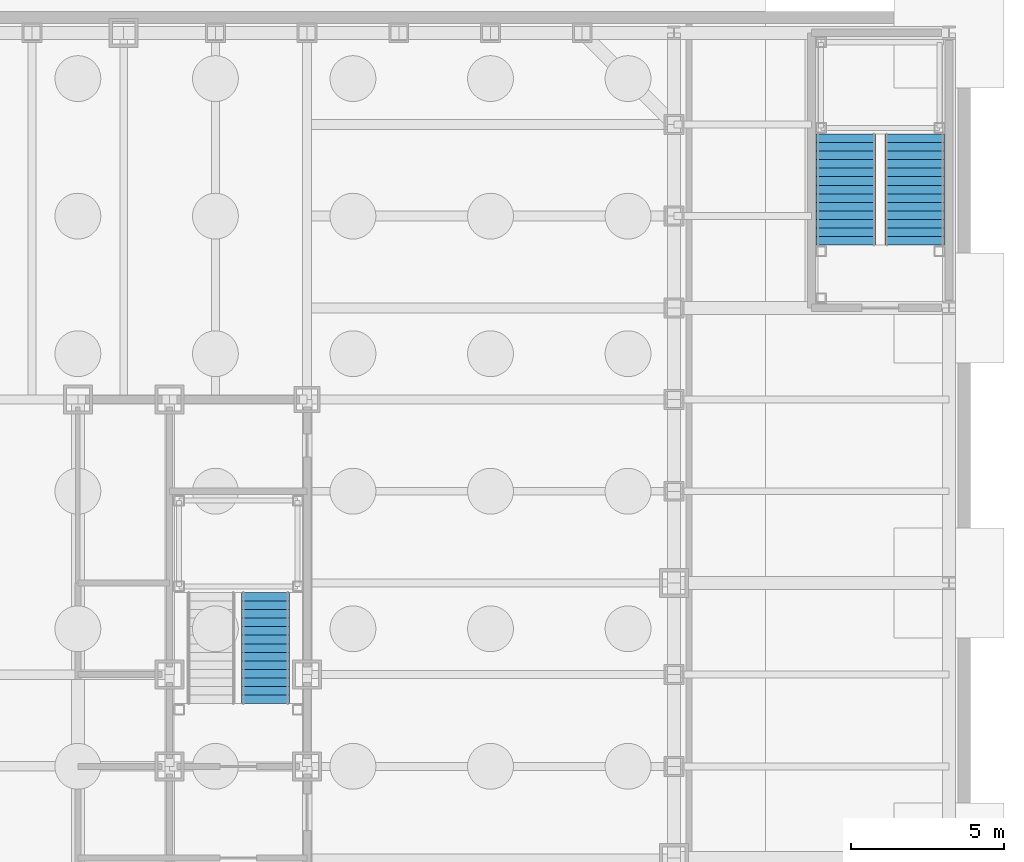
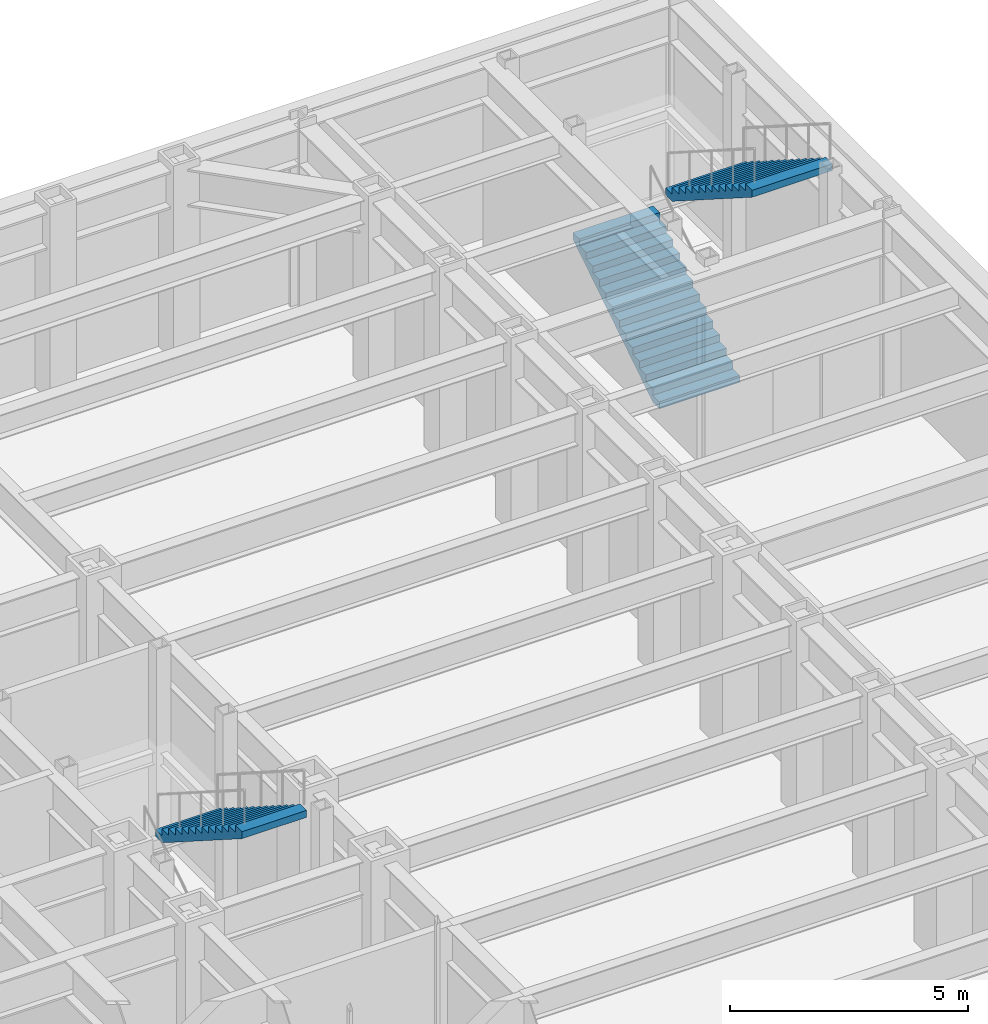
# One storey, part 12 of 18: 3 stair flights, 2 elements without a shape of their own.
"""IFC4 building model written with IfcOpenShell, lengths in metres."""

from ifc_helpers import new_model, si_unit, direction, frame, origin, place, context, subcontext, project, spatial, faceted_brep, material, type_object, element, aggregate, save


model = new_model("IFC4")

# Units and contexts
model_context = context("Model", 3, precision=1e-05, world=origin(), true_north=direction((0.0, 1.0)))
body_context = subcontext(model_context, "Body", "Model", "MODEL_VIEW")
ifc_project = project(units=[si_unit("LENGTHUNIT", "METRE"), si_unit("AREAUNIT", "SQUARE_METRE"), si_unit("VOLUMEUNIT", "CUBIC_METRE"), si_unit("PLANEANGLEUNIT", "RADIAN"), si_unit("MASSUNIT", "GRAM", prefix="KILO")], contexts=[model_context])

# Site, building, storey
site_placement = place(None, origin())
site = spatial("IfcSite", under=ifc_project, at=site_placement, CompositionType="ELEMENT")
building_placement = place(site_placement, origin())
building = spatial("IfcBuilding", under=site, at=building_placement, Name="Chuquiago Exchange Tower", CompositionType="ELEMENT")
storey_placement = place(building_placement, frame((0.0, 0.0, -5.0)))
storey = spatial("IfcBuildingStorey", under=building, at=storey_placement, Name="B1", CompositionType="ELEMENT", Elevation=-5.0)

# Stair, stair flight
ifc_material_1 = material(Name="Concrete C30/37, precast", Category="concrete")
stair_type_1 = type_object("IfcStairType", Name="ST2 half-turn stair 5000", PredefinedType="HALF_TURN_STAIR", material=ifc_material_1)
stair_1_placement = place(storey_placement, origin())
stair_1 = element("IfcStair", 1, at=stair_1_placement, inside=storey, type_object=stair_type_1, Name="Stair ST2 B1", PredefinedType="HALF_TURN_STAIR")
ifc_material_2 = material(Name="Concrete C30/37, precast", Category="concrete")
stair_flight_type_1 = type_object("IfcStairFlightType", Name="ST-F flight 1570 for 5000 storey", PredefinedType="STRAIGHT", material=ifc_material_2)
stair_flight_1_placement = place(storey_placement, frame((31.639892578125, 26.68994140625, 2.5), z_axis=(0.0, 0.0, 1.0), x_axis=(0.0, -1.0, 0.0)))
stair_flight_1 = element("IfcStairFlight", 2, at=stair_flight_1_placement, type_object=stair_flight_type_1, Name="ST2 flight 2", NumberOfRisers=14, NumberOfTreads=13, PredefinedType="STRAIGHT", RiserHeight=0.178571429, TreadLength=0.28, context=body_context, shape_type="Brep", body=[
    faceted_brep([(0.0, 0.78515625, 0.0), (0.0, 0.78515625, 0.178466796875), (0.280029296875, 0.78515625, 0.178466796875), (0.280029296875, 0.78515625, 0.357177734375), (0.56005859375, 0.78515625, 0.357177734375), (0.56005859375, 0.78515625, 0.53564453125), (0.840087890625, 0.78515625, 0.53564453125), (0.840087890625, 0.78515625, 0.71435546875), (1.1201171875, 0.78515625, 0.71435546875), (1.1201171875, 0.78515625, 0.892822265625), (1.39990234375, 0.78515625, 0.892822265625), (1.39990234375, 0.78515625, 1.071533203125), (1.679931640625, 0.78515625, 1.071533203125), (1.679931640625, 0.78515625, 1.25), (1.9599609375, 0.78515625, 1.25), (1.9599609375, 0.78515625, 1.428466796875), (2.239990234375, 0.78515625, 1.428466796875), (2.239990234375, 0.78515625, 1.607177734375), (2.52001953125, 0.78515625, 1.607177734375), (2.52001953125, 0.78515625, 1.78564453125), (2.800048828125, 0.78515625, 1.78564453125), (2.800048828125, 0.78515625, 1.96435546875), (3.080078125, 0.78515625, 1.96435546875), (3.080078125, 0.78515625, 2.142822265625), (3.360107421875, 0.78515625, 2.142822265625), (3.360107421875, 0.78515625, 2.321533203125), (3.639892578125, 0.78515625, 2.321533203125), (3.639892578125, 0.78515625, 2.1435546875), (0.27880859375, 0.78515625, 0.0), (0.27880859375, -0.78515625, 0.0), (3.639892578125, -0.78515625, 2.1435546875), (3.639892578125, -0.78515625, 2.321533203125), (3.360107421875, -0.78515625, 2.321533203125), (3.360107421875, -0.78515625, 2.142822265625), (3.080078125, -0.78515625, 2.142822265625), (3.080078125, -0.78515625, 1.96435546875), (2.800048828125, -0.78515625, 1.96435546875), (2.800048828125, -0.78515625, 1.78564453125), (2.52001953125, -0.78515625, 1.78564453125), (2.52001953125, -0.78515625, 1.607177734375), (2.239990234375, -0.78515625, 1.607177734375), (2.239990234375, -0.78515625, 1.428466796875), (1.9599609375, -0.78515625, 1.428466796875), (1.9599609375, -0.78515625, 1.25), (1.679931640625, -0.78515625, 1.25), (1.679931640625, -0.78515625, 1.071533203125), (1.39990234375, -0.78515625, 1.071533203125), (1.39990234375, -0.78515625, 0.892822265625), (1.1201171875, -0.78515625, 0.892822265625), (1.1201171875, -0.78515625, 0.71435546875), (0.840087890625, -0.78515625, 0.71435546875), (0.840087890625, -0.78515625, 0.53564453125), (0.56005859375, -0.78515625, 0.53564453125), (0.56005859375, -0.78515625, 0.357177734375), (0.280029296875, -0.78515625, 0.357177734375), (0.280029296875, -0.78515625, 0.178466796875), (0.0, -0.78515625, 0.178466796875), (0.0, -0.78515625, 0.0), (0.0, 0.392578125, 0.0), (0.0, 0.392578125, 0.178466796875), (0.0, 0.0, 0.0), (0.0, 0.0, 0.178466796875), (0.0, -0.392578125, 0.0), (0.0, -0.392578125, 0.178466796875), (0.280029296875, 0.392578125, 0.178466796875), (0.280029296875, 0.0, 0.178466796875), (0.280029296875, -0.392578125, 0.178466796875), (0.280029296875, 0.392578125, 0.357177734375), (0.280029296875, 0.0, 0.357177734375), (0.280029296875, -0.392578125, 0.357177734375), (0.56005859375, 0.392578125, 0.357177734375), (0.56005859375, 0.0, 0.357177734375), (0.56005859375, -0.392578125, 0.357177734375), (0.56005859375, 0.392578125, 0.53564453125), (0.56005859375, 0.0, 0.53564453125), (0.56005859375, -0.392578125, 0.53564453125), (0.840087890625, 0.392578125, 0.53564453125), (0.840087890625, 0.0, 0.53564453125), (0.840087890625, -0.392578125, 0.53564453125), (0.840087890625, 0.392578125, 0.71435546875), (0.840087890625, 0.0, 0.71435546875), (0.840087890625, -0.392578125, 0.71435546875), (1.1201171875, 0.392578125, 0.71435546875), (1.1201171875, 0.0, 0.71435546875), (1.1201171875, -0.392578125, 0.71435546875), (1.1201171875, 0.392578125, 0.892822265625), (1.1201171875, 0.0, 0.892822265625), (1.1201171875, -0.392578125, 0.892822265625), (1.39990234375, 0.392578125, 0.892822265625), (1.39990234375, 0.0, 0.892822265625), (1.39990234375, -0.392578125, 0.892822265625), (1.39990234375, 0.392578125, 1.071533203125), (1.39990234375, 0.0, 1.071533203125), (1.39990234375, -0.392578125, 1.071533203125), (1.679931640625, 0.392578125, 1.071533203125), (1.679931640625, 0.0, 1.071533203125), (1.679931640625, -0.392578125, 1.071533203125), (1.679931640625, 0.392578125, 1.25), (1.679931640625, 0.0, 1.25), (1.679931640625, -0.392578125, 1.25), (1.9599609375, 0.392578125, 1.25), (1.9599609375, 0.0, 1.25), (1.9599609375, -0.392578125, 1.25), (1.9599609375, 0.392578125, 1.428466796875), (1.9599609375, 0.0, 1.428466796875), (1.9599609375, -0.392578125, 1.428466796875), (2.239990234375, 0.392578125, 1.428466796875), (2.239990234375, 0.0, 1.428466796875), (2.239990234375, -0.392578125, 1.428466796875), (2.239990234375, 0.392578125, 1.607177734375), (2.239990234375, 0.0, 1.607177734375), (2.239990234375, -0.392578125, 1.607177734375), (2.52001953125, 0.392578125, 1.607177734375), (2.52001953125, 0.0, 1.607177734375), (2.52001953125, -0.392578125, 1.607177734375), (2.52001953125, 0.392578125, 1.78564453125), (2.52001953125, 0.0, 1.78564453125), (2.52001953125, -0.392578125, 1.78564453125), (2.800048828125, 0.392578125, 1.78564453125), (2.800048828125, 0.0, 1.78564453125), (2.800048828125, -0.392578125, 1.78564453125), (2.800048828125, 0.392578125, 1.96435546875), (2.800048828125, 0.0, 1.96435546875), (2.800048828125, -0.392578125, 1.96435546875), (3.080078125, 0.392578125, 1.96435546875), (3.080078125, 0.0, 1.96435546875), (3.080078125, -0.392578125, 1.96435546875), (3.080078125, 0.392578125, 2.142822265625), (3.080078125, 0.0, 2.142822265625), (3.080078125, -0.392578125, 2.142822265625), (3.360107421875, 0.392578125, 2.142822265625), (3.360107421875, 0.0, 2.142822265625), (3.360107421875, -0.392578125, 2.142822265625), (3.360107421875, 0.392578125, 2.321533203125), (3.360107421875, 0.0, 2.321533203125), (3.360107421875, -0.392578125, 2.321533203125), (3.639892578125, 0.392578125, 2.321533203125), (3.639892578125, 0.0, 2.321533203125), (3.639892578125, -0.392578125, 2.321533203125), (3.639892578125, 0.392578125, 2.1435546875), (3.639892578125, 0.0, 2.1435546875), (3.639892578125, -0.392578125, 2.1435546875), (0.27880859375, 0.392578125, 0.0), (0.27880859375, 0.0, 0.0), (0.27880859375, -0.392578125, 0.0)], [[[0, 1, 2, 3, 4, 5, 6, 7, 8, 9, 10, 11, 12, 13, 14, 15, 16, 17, 18, 19, 20, 21, 22, 23, 24, 25, 26, 27, 28]], [[29, 30, 31, 32, 33, 34, 35, 36, 37, 38, 39, 40, 41, 42, 43, 44, 45, 46, 47, 48, 49, 50, 51, 52, 53, 54, 55, 56, 57]], [[1, 0, 58, 59]], [[59, 58, 60, 61]], [[61, 60, 62, 63]], [[63, 62, 57, 56]], [[2, 1, 59, 64]], [[64, 59, 61, 65]], [[65, 61, 63, 66]], [[66, 63, 56, 55]], [[3, 2, 64, 67]], [[67, 64, 65, 68]], [[68, 65, 66, 69]], [[69, 66, 55, 54]], [[4, 3, 67, 70]], [[70, 67, 68, 71]], [[71, 68, 69, 72]], [[72, 69, 54, 53]], [[5, 4, 70, 73]], [[73, 70, 71, 74]], [[74, 71, 72, 75]], [[75, 72, 53, 52]], [[6, 5, 73, 76]], [[76, 73, 74, 77]], [[77, 74, 75, 78]], [[78, 75, 52, 51]], [[7, 6, 76, 79]], [[79, 76, 77, 80]], [[80, 77, 78, 81]], [[81, 78, 51, 50]], [[8, 7, 79, 82]], [[82, 79, 80, 83]], [[83, 80, 81, 84]], [[84, 81, 50, 49]], [[9, 8, 82, 85]], [[85, 82, 83, 86]], [[86, 83, 84, 87]], [[87, 84, 49, 48]], [[10, 9, 85, 88]], [[88, 85, 86, 89]], [[89, 86, 87, 90]], [[90, 87, 48, 47]], [[11, 10, 88, 91]], [[91, 88, 89, 92]], [[92, 89, 90, 93]], [[93, 90, 47, 46]], [[12, 11, 91, 94]], [[94, 91, 92, 95]], [[95, 92, 93, 96]], [[96, 93, 46, 45]], [[13, 12, 94, 97]], [[97, 94, 95, 98]], [[98, 95, 96, 99]], [[99, 96, 45, 44]], [[14, 13, 97, 100]], [[100, 97, 98, 101]], [[101, 98, 99, 102]], [[102, 99, 44, 43]], [[15, 14, 100, 103]], [[103, 100, 101, 104]], [[104, 101, 102, 105]], [[105, 102, 43, 42]], [[16, 15, 103, 106]], [[106, 103, 104, 107]], [[107, 104, 105, 108]], [[108, 105, 42, 41]], [[17, 16, 106, 109]], [[109, 106, 107, 110]], [[110, 107, 108, 111]], [[111, 108, 41, 40]], [[18, 17, 109, 112]], [[112, 109, 110, 113]], [[113, 110, 111, 114]], [[114, 111, 40, 39]], [[19, 18, 112, 115]], [[115, 112, 113, 116]], [[116, 113, 114, 117]], [[117, 114, 39, 38]], [[20, 19, 115, 118]], [[118, 115, 116, 119]], [[119, 116, 117, 120]], [[120, 117, 38, 37]], [[21, 20, 118, 121]], [[121, 118, 119, 122]], [[122, 119, 120, 123]], [[123, 120, 37, 36]], [[22, 21, 121, 124]], [[124, 121, 122, 125]], [[125, 122, 123, 126]], [[126, 123, 36, 35]], [[23, 22, 124, 127]], [[127, 124, 125, 128]], [[128, 125, 126, 129]], [[129, 126, 35, 34]], [[24, 23, 127, 130]], [[130, 127, 128, 131]], [[131, 128, 129, 132]], [[132, 129, 34, 33]], [[25, 24, 130, 133]], [[133, 130, 131, 134]], [[134, 131, 132, 135]], [[135, 132, 33, 32]], [[26, 25, 133, 136]], [[136, 133, 134, 137]], [[137, 134, 135, 138]], [[138, 135, 32, 31]], [[27, 26, 136, 139]], [[139, 136, 137, 140]], [[140, 137, 138, 141]], [[141, 138, 31, 30]], [[28, 27, 139, 142]], [[142, 139, 140, 143]], [[143, 140, 141, 144]], [[144, 141, 30, 29]], [[0, 28, 142, 58]], [[58, 142, 143, 60]], [[60, 143, 144, 62]], [[62, 144, 29, 57]]]),
])
aggregate(stair_1, [stair_flight_1])

# Stair, stair flights
ifc_material_3 = material(Name="Concrete C30/37, precast", Category="concrete")
stair_type_2 = type_object("IfcStairType", Name="PS4 half-turn stair 5000", PredefinedType="HALF_TURN_STAIR", material=ifc_material_3)
stair_2_placement = place(storey_placement, origin())
stair_2 = element("IfcStair", 3, at=stair_2_placement, inside=storey, type_object=stair_type_2, Name="Stair PS4 B1", PredefinedType="HALF_TURN_STAIR")
ifc_material_4 = material(Name="Concrete C30/37, precast", Category="concrete")
stair_flight_type_2 = type_object("IfcStairFlightType", Name="ST-F flight 1950 for 5000 storey", PredefinedType="STRAIGHT", material=ifc_material_4)
stair_flight_2_placement = place(storey_placement, frame((50.625, 38.050048828125, 0.0), z_axis=(0.0, 0.0, 1.0), x_axis=(0.0, 1.0, 0.0)))
stair_flight_2 = element("IfcStairFlight", 4, at=stair_flight_2_placement, type_object=stair_flight_type_2, Name="PS4 flight 1", NumberOfRisers=14, NumberOfTreads=13, PredefinedType="STRAIGHT", RiserHeight=0.178571429, TreadLength=0.28, context=body_context, shape_type="Brep", body=[
    faceted_brep([(0.0, 0.97509765625, 0.0), (0.0, 0.97509765625, 0.178466796875), (0.280029296875, 0.97509765625, 0.178466796875), (0.280029296875, 0.97509765625, 0.357177734375), (0.56005859375, 0.97509765625, 0.357177734375), (0.56005859375, 0.97509765625, 0.53564453125), (0.840087890625, 0.97509765625, 0.53564453125), (0.840087890625, 0.97509765625, 0.71435546875), (1.1201171875, 0.97509765625, 0.71435546875), (1.1201171875, 0.97509765625, 0.892822265625), (1.39990234375, 0.97509765625, 0.892822265625), (1.39990234375, 0.97509765625, 1.071533203125), (1.679931640625, 0.97509765625, 1.071533203125), (1.679931640625, 0.97509765625, 1.25), (1.9599609375, 0.97509765625, 1.25), (1.9599609375, 0.97509765625, 1.428466796875), (2.239990234375, 0.97509765625, 1.428466796875), (2.239990234375, 0.97509765625, 1.607177734375), (2.52001953125, 0.97509765625, 1.607177734375), (2.52001953125, 0.97509765625, 1.78564453125), (2.800048828125, 0.97509765625, 1.78564453125), (2.800048828125, 0.97509765625, 1.96435546875), (3.080078125, 0.97509765625, 1.96435546875), (3.080078125, 0.97509765625, 2.142822265625), (3.360107421875, 0.97509765625, 2.142822265625), (3.360107421875, 0.97509765625, 2.321533203125), (3.639892578125, 0.97509765625, 2.321533203125), (3.639892578125, 0.97509765625, 2.1435546875), (0.27880859375, 0.97509765625, 0.0), (0.27880859375, -0.97509765625, 0.0), (3.639892578125, -0.97509765625, 2.1435546875), (3.639892578125, -0.97509765625, 2.321533203125), (3.360107421875, -0.97509765625, 2.321533203125), (3.360107421875, -0.97509765625, 2.142822265625), (3.080078125, -0.97509765625, 2.142822265625), (3.080078125, -0.97509765625, 1.96435546875), (2.800048828125, -0.97509765625, 1.96435546875), (2.800048828125, -0.97509765625, 1.78564453125), (2.52001953125, -0.97509765625, 1.78564453125), (2.52001953125, -0.97509765625, 1.607177734375), (2.239990234375, -0.97509765625, 1.607177734375), (2.239990234375, -0.97509765625, 1.428466796875), (1.9599609375, -0.97509765625, 1.428466796875), (1.9599609375, -0.97509765625, 1.25), (1.679931640625, -0.97509765625, 1.25), (1.679931640625, -0.97509765625, 1.071533203125), (1.39990234375, -0.97509765625, 1.071533203125), (1.39990234375, -0.97509765625, 0.892822265625), (1.1201171875, -0.97509765625, 0.892822265625), (1.1201171875, -0.97509765625, 0.71435546875), (0.840087890625, -0.97509765625, 0.71435546875), (0.840087890625, -0.97509765625, 0.53564453125), (0.56005859375, -0.97509765625, 0.53564453125), (0.56005859375, -0.97509765625, 0.357177734375), (0.280029296875, -0.97509765625, 0.357177734375), (0.280029296875, -0.97509765625, 0.178466796875), (0.0, -0.97509765625, 0.178466796875), (0.0, -0.97509765625, 0.0), (0.0, 0.487548828125, 0.0), (0.0, 0.487548828125, 0.178466796875), (0.0, 0.0, 0.0), (0.0, 0.0, 0.178466796875), (0.0, -0.487548828125, 0.0), (0.0, -0.487548828125, 0.178466796875), (0.280029296875, 0.487548828125, 0.178466796875), (0.280029296875, 0.0, 0.178466796875), (0.280029296875, -0.487548828125, 0.178466796875), (0.280029296875, 0.487548828125, 0.357177734375), (0.280029296875, 0.0, 0.357177734375), (0.280029296875, -0.487548828125, 0.357177734375), (0.56005859375, 0.487548828125, 0.357177734375), (0.56005859375, 0.0, 0.357177734375), (0.56005859375, -0.487548828125, 0.357177734375), (0.56005859375, 0.487548828125, 0.53564453125), (0.56005859375, 0.0, 0.53564453125), (0.56005859375, -0.487548828125, 0.53564453125), (0.840087890625, 0.487548828125, 0.53564453125), (0.840087890625, 0.0, 0.53564453125), (0.840087890625, -0.487548828125, 0.53564453125), (0.840087890625, 0.487548828125, 0.71435546875), (0.840087890625, 0.0, 0.71435546875), (0.840087890625, -0.487548828125, 0.71435546875), (1.1201171875, 0.487548828125, 0.71435546875), (1.1201171875, 0.0, 0.71435546875), (1.1201171875, -0.487548828125, 0.71435546875), (1.1201171875, 0.487548828125, 0.892822265625), (1.1201171875, 0.0, 0.892822265625), (1.1201171875, -0.487548828125, 0.892822265625), (1.39990234375, 0.487548828125, 0.892822265625), (1.39990234375, 0.0, 0.892822265625), (1.39990234375, -0.487548828125, 0.892822265625), (1.39990234375, 0.487548828125, 1.071533203125), (1.39990234375, 0.0, 1.071533203125), (1.39990234375, -0.487548828125, 1.071533203125), (1.679931640625, 0.487548828125, 1.071533203125), (1.679931640625, 0.0, 1.071533203125), (1.679931640625, -0.487548828125, 1.071533203125), (1.679931640625, 0.487548828125, 1.25), (1.679931640625, 0.0, 1.25), (1.679931640625, -0.487548828125, 1.25), (1.9599609375, 0.487548828125, 1.25), (1.9599609375, 0.0, 1.25), (1.9599609375, -0.487548828125, 1.25), (1.9599609375, 0.487548828125, 1.428466796875), (1.9599609375, 0.0, 1.428466796875), (1.9599609375, -0.487548828125, 1.428466796875), (2.239990234375, 0.487548828125, 1.428466796875), (2.239990234375, 0.0, 1.428466796875), (2.239990234375, -0.487548828125, 1.428466796875), (2.239990234375, 0.487548828125, 1.607177734375), (2.239990234375, 0.0, 1.607177734375), (2.239990234375, -0.487548828125, 1.607177734375), (2.52001953125, 0.487548828125, 1.607177734375), (2.52001953125, 0.0, 1.607177734375), (2.52001953125, -0.487548828125, 1.607177734375), (2.52001953125, 0.487548828125, 1.78564453125), (2.52001953125, 0.0, 1.78564453125), (2.52001953125, -0.487548828125, 1.78564453125), (2.800048828125, 0.487548828125, 1.78564453125), (2.800048828125, 0.0, 1.78564453125), (2.800048828125, -0.487548828125, 1.78564453125), (2.800048828125, 0.487548828125, 1.96435546875), (2.800048828125, 0.0, 1.96435546875), (2.800048828125, -0.487548828125, 1.96435546875), (3.080078125, 0.487548828125, 1.96435546875), (3.080078125, 0.0, 1.96435546875), (3.080078125, -0.487548828125, 1.96435546875), (3.080078125, 0.487548828125, 2.142822265625), (3.080078125, 0.0, 2.142822265625), (3.080078125, -0.487548828125, 2.142822265625), (3.360107421875, 0.487548828125, 2.142822265625), (3.360107421875, 0.0, 2.142822265625), (3.360107421875, -0.487548828125, 2.142822265625), (3.360107421875, 0.487548828125, 2.321533203125), (3.360107421875, 0.0, 2.321533203125), (3.360107421875, -0.487548828125, 2.321533203125), (3.639892578125, 0.487548828125, 2.321533203125), (3.639892578125, 0.0, 2.321533203125), (3.639892578125, -0.487548828125, 2.321533203125), (3.639892578125, 0.487548828125, 2.1435546875), (3.639892578125, 0.0, 2.1435546875), (3.639892578125, -0.487548828125, 2.1435546875), (0.27880859375, 0.487548828125, 0.0), (0.27880859375, 0.0, 0.0), (0.27880859375, -0.487548828125, 0.0)], [[[0, 1, 2, 3, 4, 5, 6, 7, 8, 9, 10, 11, 12, 13, 14, 15, 16, 17, 18, 19, 20, 21, 22, 23, 24, 25, 26, 27, 28]], [[29, 30, 31, 32, 33, 34, 35, 36, 37, 38, 39, 40, 41, 42, 43, 44, 45, 46, 47, 48, 49, 50, 51, 52, 53, 54, 55, 56, 57]], [[1, 0, 58, 59]], [[59, 58, 60, 61]], [[61, 60, 62, 63]], [[63, 62, 57, 56]], [[2, 1, 59, 64]], [[64, 59, 61, 65]], [[65, 61, 63, 66]], [[66, 63, 56, 55]], [[3, 2, 64, 67]], [[67, 64, 65, 68]], [[68, 65, 66, 69]], [[69, 66, 55, 54]], [[4, 3, 67, 70]], [[70, 67, 68, 71]], [[71, 68, 69, 72]], [[72, 69, 54, 53]], [[5, 4, 70, 73]], [[73, 70, 71, 74]], [[74, 71, 72, 75]], [[75, 72, 53, 52]], [[6, 5, 73, 76]], [[76, 73, 74, 77]], [[77, 74, 75, 78]], [[78, 75, 52, 51]], [[7, 6, 76, 79]], [[79, 76, 77, 80]], [[80, 77, 78, 81]], [[81, 78, 51, 50]], [[8, 7, 79, 82]], [[82, 79, 80, 83]], [[83, 80, 81, 84]], [[84, 81, 50, 49]], [[9, 8, 82, 85]], [[85, 82, 83, 86]], [[86, 83, 84, 87]], [[87, 84, 49, 48]], [[10, 9, 85, 88]], [[88, 85, 86, 89]], [[89, 86, 87, 90]], [[90, 87, 48, 47]], [[11, 10, 88, 91]], [[91, 88, 89, 92]], [[92, 89, 90, 93]], [[93, 90, 47, 46]], [[12, 11, 91, 94]], [[94, 91, 92, 95]], [[95, 92, 93, 96]], [[96, 93, 46, 45]], [[13, 12, 94, 97]], [[97, 94, 95, 98]], [[98, 95, 96, 99]], [[99, 96, 45, 44]], [[14, 13, 97, 100]], [[100, 97, 98, 101]], [[101, 98, 99, 102]], [[102, 99, 44, 43]], [[15, 14, 100, 103]], [[103, 100, 101, 104]], [[104, 101, 102, 105]], [[105, 102, 43, 42]], [[16, 15, 103, 106]], [[106, 103, 104, 107]], [[107, 104, 105, 108]], [[108, 105, 42, 41]], [[17, 16, 106, 109]], [[109, 106, 107, 110]], [[110, 107, 108, 111]], [[111, 108, 41, 40]], [[18, 17, 109, 112]], [[112, 109, 110, 113]], [[113, 110, 111, 114]], [[114, 111, 40, 39]], [[19, 18, 112, 115]], [[115, 112, 113, 116]], [[116, 113, 114, 117]], [[117, 114, 39, 38]], [[20, 19, 115, 118]], [[118, 115, 116, 119]], [[119, 116, 117, 120]], [[120, 117, 38, 37]], [[21, 20, 118, 121]], [[121, 118, 119, 122]], [[122, 119, 120, 123]], [[123, 120, 37, 36]], [[22, 21, 121, 124]], [[124, 121, 122, 125]], [[125, 122, 123, 126]], [[126, 123, 36, 35]], [[23, 22, 124, 127]], [[127, 124, 125, 128]], [[128, 125, 126, 129]], [[129, 126, 35, 34]], [[24, 23, 127, 130]], [[130, 127, 128, 131]], [[131, 128, 129, 132]], [[132, 129, 34, 33]], [[25, 24, 130, 133]], [[133, 130, 131, 134]], [[134, 131, 132, 135]], [[135, 132, 33, 32]], [[26, 25, 133, 136]], [[136, 133, 134, 137]], [[137, 134, 135, 138]], [[138, 135, 32, 31]], [[27, 26, 136, 139]], [[139, 136, 137, 140]], [[140, 137, 138, 141]], [[141, 138, 31, 30]], [[28, 27, 139, 142]], [[142, 139, 140, 143]], [[143, 140, 141, 144]], [[144, 141, 30, 29]], [[0, 28, 142, 58]], [[58, 142, 143, 60]], [[60, 143, 144, 62]], [[62, 144, 29, 57]]]),
])
stair_flight_3_placement = place(storey_placement, frame((52.875, 41.68994140625, 2.5), z_axis=(0.0, 0.0, 1.0), x_axis=(0.0, -1.0, 0.0)))
stair_flight_3 = element("IfcStairFlight", 5, at=stair_flight_3_placement, type_object=stair_flight_type_2, Name="PS4 flight 2", NumberOfRisers=14, NumberOfTreads=13, PredefinedType="STRAIGHT", RiserHeight=0.178571429, TreadLength=0.28, context=body_context, shape_type="Brep", body=[
    faceted_brep([(0.0, 0.97509765625, 0.0), (0.0, 0.97509765625, 0.178466796875), (0.280029296875, 0.97509765625, 0.178466796875), (0.280029296875, 0.97509765625, 0.357177734375), (0.56005859375, 0.97509765625, 0.357177734375), (0.56005859375, 0.97509765625, 0.53564453125), (0.840087890625, 0.97509765625, 0.53564453125), (0.840087890625, 0.97509765625, 0.71435546875), (1.1201171875, 0.97509765625, 0.71435546875), (1.1201171875, 0.97509765625, 0.892822265625), (1.39990234375, 0.97509765625, 0.892822265625), (1.39990234375, 0.97509765625, 1.071533203125), (1.679931640625, 0.97509765625, 1.071533203125), (1.679931640625, 0.97509765625, 1.25), (1.9599609375, 0.97509765625, 1.25), (1.9599609375, 0.97509765625, 1.428466796875), (2.239990234375, 0.97509765625, 1.428466796875), (2.239990234375, 0.97509765625, 1.607177734375), (2.52001953125, 0.97509765625, 1.607177734375), (2.52001953125, 0.97509765625, 1.78564453125), (2.800048828125, 0.97509765625, 1.78564453125), (2.800048828125, 0.97509765625, 1.96435546875), (3.080078125, 0.97509765625, 1.96435546875), (3.080078125, 0.97509765625, 2.142822265625), (3.360107421875, 0.97509765625, 2.142822265625), (3.360107421875, 0.97509765625, 2.321533203125), (3.639892578125, 0.97509765625, 2.321533203125), (3.639892578125, 0.97509765625, 2.1435546875), (0.27880859375, 0.97509765625, 0.0), (0.27880859375, -0.97509765625, 0.0), (3.639892578125, -0.97509765625, 2.1435546875), (3.639892578125, -0.97509765625, 2.321533203125), (3.360107421875, -0.97509765625, 2.321533203125), (3.360107421875, -0.97509765625, 2.142822265625), (3.080078125, -0.97509765625, 2.142822265625), (3.080078125, -0.97509765625, 1.96435546875), (2.800048828125, -0.97509765625, 1.96435546875), (2.800048828125, -0.97509765625, 1.78564453125), (2.52001953125, -0.97509765625, 1.78564453125), (2.52001953125, -0.97509765625, 1.607177734375), (2.239990234375, -0.97509765625, 1.607177734375), (2.239990234375, -0.97509765625, 1.428466796875), (1.9599609375, -0.97509765625, 1.428466796875), (1.9599609375, -0.97509765625, 1.25), (1.679931640625, -0.97509765625, 1.25), (1.679931640625, -0.97509765625, 1.071533203125), (1.39990234375, -0.97509765625, 1.071533203125), (1.39990234375, -0.97509765625, 0.892822265625), (1.1201171875, -0.97509765625, 0.892822265625), (1.1201171875, -0.97509765625, 0.71435546875), (0.840087890625, -0.97509765625, 0.71435546875), (0.840087890625, -0.97509765625, 0.53564453125), (0.56005859375, -0.97509765625, 0.53564453125), (0.56005859375, -0.97509765625, 0.357177734375), (0.280029296875, -0.97509765625, 0.357177734375), (0.280029296875, -0.97509765625, 0.178466796875), (0.0, -0.97509765625, 0.178466796875), (0.0, -0.97509765625, 0.0), (0.0, 0.487548828125, 0.0), (0.0, 0.487548828125, 0.178466796875), (0.0, 0.0, 0.0), (0.0, 0.0, 0.178466796875), (0.0, -0.487548828125, 0.0), (0.0, -0.487548828125, 0.178466796875), (0.280029296875, 0.487548828125, 0.178466796875), (0.280029296875, 0.0, 0.178466796875), (0.280029296875, -0.487548828125, 0.178466796875), (0.280029296875, 0.487548828125, 0.357177734375), (0.280029296875, 0.0, 0.357177734375), (0.280029296875, -0.487548828125, 0.357177734375), (0.56005859375, 0.487548828125, 0.357177734375), (0.56005859375, 0.0, 0.357177734375), (0.56005859375, -0.487548828125, 0.357177734375), (0.56005859375, 0.487548828125, 0.53564453125), (0.56005859375, 0.0, 0.53564453125), (0.56005859375, -0.487548828125, 0.53564453125), (0.840087890625, 0.487548828125, 0.53564453125), (0.840087890625, 0.0, 0.53564453125), (0.840087890625, -0.487548828125, 0.53564453125), (0.840087890625, 0.487548828125, 0.71435546875), (0.840087890625, 0.0, 0.71435546875), (0.840087890625, -0.487548828125, 0.71435546875), (1.1201171875, 0.487548828125, 0.71435546875), (1.1201171875, 0.0, 0.71435546875), (1.1201171875, -0.487548828125, 0.71435546875), (1.1201171875, 0.487548828125, 0.892822265625), (1.1201171875, 0.0, 0.892822265625), (1.1201171875, -0.487548828125, 0.892822265625), (1.39990234375, 0.487548828125, 0.892822265625), (1.39990234375, 0.0, 0.892822265625), (1.39990234375, -0.487548828125, 0.892822265625), (1.39990234375, 0.487548828125, 1.071533203125), (1.39990234375, 0.0, 1.071533203125), (1.39990234375, -0.487548828125, 1.071533203125), (1.679931640625, 0.487548828125, 1.071533203125), (1.679931640625, 0.0, 1.071533203125), (1.679931640625, -0.487548828125, 1.071533203125), (1.679931640625, 0.487548828125, 1.25), (1.679931640625, 0.0, 1.25), (1.679931640625, -0.487548828125, 1.25), (1.9599609375, 0.487548828125, 1.25), (1.9599609375, 0.0, 1.25), (1.9599609375, -0.487548828125, 1.25), (1.9599609375, 0.487548828125, 1.428466796875), (1.9599609375, 0.0, 1.428466796875), (1.9599609375, -0.487548828125, 1.428466796875), (2.239990234375, 0.487548828125, 1.428466796875), (2.239990234375, 0.0, 1.428466796875), (2.239990234375, -0.487548828125, 1.428466796875), (2.239990234375, 0.487548828125, 1.607177734375), (2.239990234375, 0.0, 1.607177734375), (2.239990234375, -0.487548828125, 1.607177734375), (2.52001953125, 0.487548828125, 1.607177734375), (2.52001953125, 0.0, 1.607177734375), (2.52001953125, -0.487548828125, 1.607177734375), (2.52001953125, 0.487548828125, 1.78564453125), (2.52001953125, 0.0, 1.78564453125), (2.52001953125, -0.487548828125, 1.78564453125), (2.800048828125, 0.487548828125, 1.78564453125), (2.800048828125, 0.0, 1.78564453125), (2.800048828125, -0.487548828125, 1.78564453125), (2.800048828125, 0.487548828125, 1.96435546875), (2.800048828125, 0.0, 1.96435546875), (2.800048828125, -0.487548828125, 1.96435546875), (3.080078125, 0.487548828125, 1.96435546875), (3.080078125, 0.0, 1.96435546875), (3.080078125, -0.487548828125, 1.96435546875), (3.080078125, 0.487548828125, 2.142822265625), (3.080078125, 0.0, 2.142822265625), (3.080078125, -0.487548828125, 2.142822265625), (3.360107421875, 0.487548828125, 2.142822265625), (3.360107421875, 0.0, 2.142822265625), (3.360107421875, -0.487548828125, 2.142822265625), (3.360107421875, 0.487548828125, 2.321533203125), (3.360107421875, 0.0, 2.321533203125), (3.360107421875, -0.487548828125, 2.321533203125), (3.639892578125, 0.487548828125, 2.321533203125), (3.639892578125, 0.0, 2.321533203125), (3.639892578125, -0.487548828125, 2.321533203125), (3.639892578125, 0.487548828125, 2.1435546875), (3.639892578125, 0.0, 2.1435546875), (3.639892578125, -0.487548828125, 2.1435546875), (0.27880859375, 0.487548828125, 0.0), (0.27880859375, 0.0, 0.0), (0.27880859375, -0.487548828125, 0.0)], [[[0, 1, 2, 3, 4, 5, 6, 7, 8, 9, 10, 11, 12, 13, 14, 15, 16, 17, 18, 19, 20, 21, 22, 23, 24, 25, 26, 27, 28]], [[29, 30, 31, 32, 33, 34, 35, 36, 37, 38, 39, 40, 41, 42, 43, 44, 45, 46, 47, 48, 49, 50, 51, 52, 53, 54, 55, 56, 57]], [[1, 0, 58, 59]], [[59, 58, 60, 61]], [[61, 60, 62, 63]], [[63, 62, 57, 56]], [[2, 1, 59, 64]], [[64, 59, 61, 65]], [[65, 61, 63, 66]], [[66, 63, 56, 55]], [[3, 2, 64, 67]], [[67, 64, 65, 68]], [[68, 65, 66, 69]], [[69, 66, 55, 54]], [[4, 3, 67, 70]], [[70, 67, 68, 71]], [[71, 68, 69, 72]], [[72, 69, 54, 53]], [[5, 4, 70, 73]], [[73, 70, 71, 74]], [[74, 71, 72, 75]], [[75, 72, 53, 52]], [[6, 5, 73, 76]], [[76, 73, 74, 77]], [[77, 74, 75, 78]], [[78, 75, 52, 51]], [[7, 6, 76, 79]], [[79, 76, 77, 80]], [[80, 77, 78, 81]], [[81, 78, 51, 50]], [[8, 7, 79, 82]], [[82, 79, 80, 83]], [[83, 80, 81, 84]], [[84, 81, 50, 49]], [[9, 8, 82, 85]], [[85, 82, 83, 86]], [[86, 83, 84, 87]], [[87, 84, 49, 48]], [[10, 9, 85, 88]], [[88, 85, 86, 89]], [[89, 86, 87, 90]], [[90, 87, 48, 47]], [[11, 10, 88, 91]], [[91, 88, 89, 92]], [[92, 89, 90, 93]], [[93, 90, 47, 46]], [[12, 11, 91, 94]], [[94, 91, 92, 95]], [[95, 92, 93, 96]], [[96, 93, 46, 45]], [[13, 12, 94, 97]], [[97, 94, 95, 98]], [[98, 95, 96, 99]], [[99, 96, 45, 44]], [[14, 13, 97, 100]], [[100, 97, 98, 101]], [[101, 98, 99, 102]], [[102, 99, 44, 43]], [[15, 14, 100, 103]], [[103, 100, 101, 104]], [[104, 101, 102, 105]], [[105, 102, 43, 42]], [[16, 15, 103, 106]], [[106, 103, 104, 107]], [[107, 104, 105, 108]], [[108, 105, 42, 41]], [[17, 16, 106, 109]], [[109, 106, 107, 110]], [[110, 107, 108, 111]], [[111, 108, 41, 40]], [[18, 17, 109, 112]], [[112, 109, 110, 113]], [[113, 110, 111, 114]], [[114, 111, 40, 39]], [[19, 18, 112, 115]], [[115, 112, 113, 116]], [[116, 113, 114, 117]], [[117, 114, 39, 38]], [[20, 19, 115, 118]], [[118, 115, 116, 119]], [[119, 116, 117, 120]], [[120, 117, 38, 37]], [[21, 20, 118, 121]], [[121, 118, 119, 122]], [[122, 119, 120, 123]], [[123, 120, 37, 36]], [[22, 21, 121, 124]], [[124, 121, 122, 125]], [[125, 122, 123, 126]], [[126, 123, 36, 35]], [[23, 22, 124, 127]], [[127, 124, 125, 128]], [[128, 125, 126, 129]], [[129, 126, 35, 34]], [[24, 23, 127, 130]], [[130, 127, 128, 131]], [[131, 128, 129, 132]], [[132, 129, 34, 33]], [[25, 24, 130, 133]], [[133, 130, 131, 134]], [[134, 131, 132, 135]], [[135, 132, 33, 32]], [[26, 25, 133, 136]], [[136, 133, 134, 137]], [[137, 134, 135, 138]], [[138, 135, 32, 31]], [[27, 26, 136, 139]], [[139, 136, 137, 140]], [[140, 137, 138, 141]], [[141, 138, 31, 30]], [[28, 27, 139, 142]], [[142, 139, 140, 143]], [[143, 140, 141, 144]], [[144, 141, 30, 29]], [[0, 28, 142, 58]], [[58, 142, 143, 60]], [[60, 143, 144, 62]], [[62, 144, 29, 57]]]),
])
aggregate(stair_2, [stair_flight_2, stair_flight_3])

save(model, "model.ifc")
